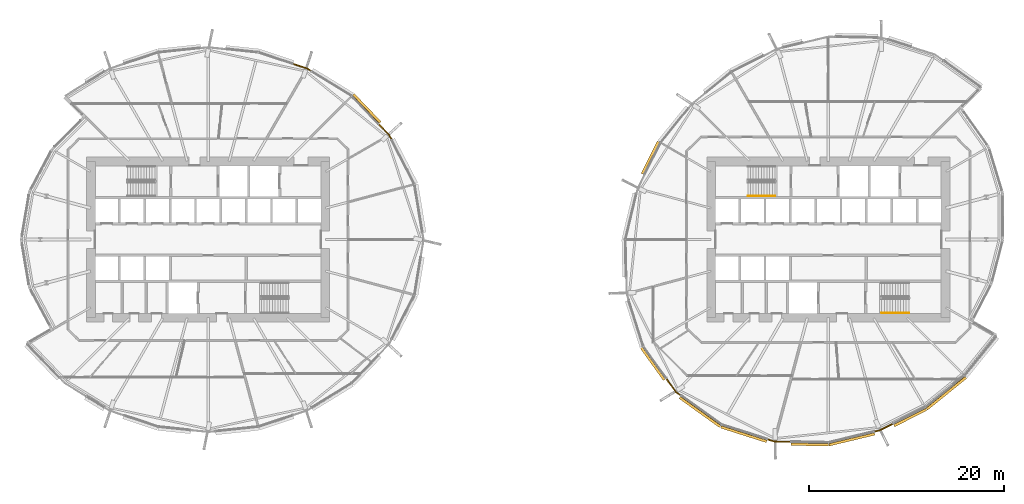
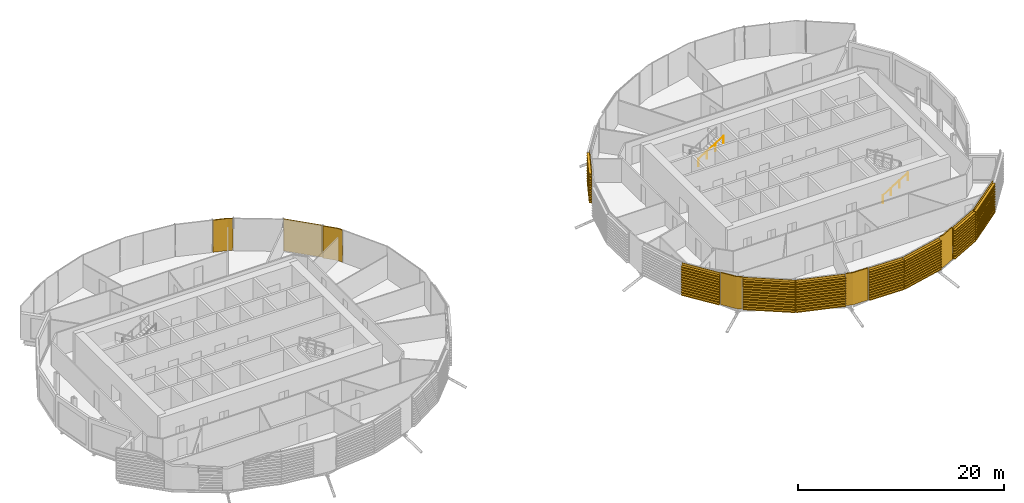
# One storey, part 34 of 36: 14 coverings, 2 railings.
"""IFC4 building model written with IfcOpenShell, lengths in metres."""

from ifc_helpers import new_model, si_unit, direction, frame, origin, origin_2d, place, context, subcontext, project, spatial, polyline, circle, outline, extrude, material, layer, layer_set, material_profile, profile_set, type_object, element, save


model = new_model("IFC4")

# Units and contexts
model_context = context("Model", 3, precision=1e-05, world=origin(), true_north=direction((0.0, 1.0)))
body_context = subcontext(model_context, "Body", "Model", "MODEL_VIEW")
ifc_project = project(units=[si_unit("LENGTHUNIT", "METRE"), si_unit("AREAUNIT", "SQUARE_METRE"), si_unit("VOLUMEUNIT", "CUBIC_METRE"), si_unit("PLANEANGLEUNIT", "RADIAN"), si_unit("MASSUNIT", "GRAM", prefix="KILO")], contexts=[model_context])

# Site, building, storey
site_placement = place(None, origin())
site = spatial("IfcSite", under=ifc_project, at=site_placement, CompositionType="ELEMENT")
building_placement = place(site_placement, origin())
building = spatial("IfcBuilding", under=site, at=building_placement, Name="Rimbun Link Towers", CompositionType="ELEMENT")
storey_placement = place(building_placement, frame((0.0, 0.0, 33.800048828125)))
storey = spatial("IfcBuildingStorey", under=building, at=storey_placement, Name="L07", CompositionType="ELEMENT", Elevation=33.800048828125)

# Coverings
ifc_material_1 = material(Name="Terracotta", Category="masonry")
ifc_layer = layer(ifc_material_1, 0.1201171875)
ifc_layer_set = layer_set([ifc_layer], Name="LINK PIER terracotta cladding 120")
covering_type_1 = type_object("IfcCoveringType", Name="LINK PIER terracotta cladding 120", PredefinedType="CLADDING", material=ifc_layer_set)
covering_1_placement = place(storey_placement, origin())
element("IfcCovering", 1, at=covering_1_placement, inside=storey, type_object=covering_type_1, Name="LINK PIER cladding", PredefinedType="CLADDING", context=body_context, shape_type="SweptSolid", body=[
    extrude(outline(polyline([(-14.317138671875, 11.769287109375), (-13.26513671875, 10.672119140625), (-13.026123046875, 10.21044921875), (-12.919677734375, 10.265625), (-13.16650390625, 10.74267578125), (-14.23046875, 11.8525390625), (-14.317138671875, 11.769287109375)])), origin(), (0.0, 0.0, 1.0), 3.800048828125),
])
covering_2_placement = place(storey_placement, origin())
element("IfcCovering", 2, at=covering_2_placement, inside=storey, type_object=covering_type_1, Name="LINK PIER cladding", PredefinedType="CLADDING", context=body_context, shape_type="SweptSolid", body=[
    extrude(outline(polyline([(-23.059326171875, 17.93212890625), (-21.663818359375, 17.469482421875), (-21.220703125, 17.197509765625), (-21.157958984375, 17.2998046875), (-21.613037109375, 17.5791015625), (-23.021484375, 18.0458984375), (-23.059326171875, 17.93212890625)])), origin(), (0.0, 0.0, 1.0), 3.800048828125),
])
covering_3_placement = place(storey_placement, origin())
element("IfcCovering", 3, at=covering_3_placement, inside=storey, type_object=covering_type_1, Name="LINK PIER cladding", PredefinedType="CLADDING", context=body_context, shape_type="SweptSolid", body=[
    extrude(outline(polyline([(16.6884765625, -15.9267578125), (16.184814453125, -15.565185546875), (15.211181640625, -14.20849609375), (15.113525390625, -14.2783203125), (16.0986328125, -15.6513671875), (16.618408203125, -16.024169921875), (16.6884765625, -15.9267578125)])), origin(), (0.0, 0.0, 1.0), 3.800048828125),
])
covering_4_placement = place(storey_placement, origin())
element("IfcCovering", 4, at=covering_4_placement, inside=storey, type_object=covering_type_1, Name="LINK PIER cladding", PredefinedType="CLADDING", context=body_context, shape_type="SweptSolid", body=[
    extrude(outline(polyline([(27.895263671875, -20.65234375), (26.2255859375, -20.6171875), (25.53955078125, -20.39892578125), (25.503173828125, -20.51318359375), (26.205810546875, -20.73681640625), (27.892822265625, -20.772216796875), (27.895263671875, -20.65234375)])), origin(), (0.0, 0.0, 1.0), 3.800048828125),
])
covering_5_placement = place(storey_placement, origin())
element("IfcCovering", 5, at=covering_5_placement, inside=storey, type_object=covering_type_1, Name="LINK PIER cladding", PredefinedType="CLADDING", context=body_context, shape_type="SweptSolid", body=[
    extrude(outline(polyline([(38.329345703125, -18.802734375), (36.970947265625, -19.48486328125), (36.465087890625, -19.605712890625), (36.4931640625, -19.722412109375), (37.012451171875, -19.598388671875), (38.383056640625, -18.909912109375), (38.329345703125, -18.802734375)])), origin(), (0.0, 0.0, 1.0), 3.800048828125),
])

# Railings
ifc_material_2 = material(Name="Stainless steel grade 316", Category="steel")
railing_type = type_object("IfcRailingType", Name="Stair handrail", PredefinedType="HANDRAIL", material=ifc_material_2)
for number, where, name in (
    (6, (23.5, 4.449951171875, 2.07275390625), "L07 ST3 stair handrail 2"),
    (7, (37.199951171875, -7.5, 0.172607421875), "L07 ST4 stair handrail 1"),
):
    element("IfcRailing", number, at=place(storey_placement, frame(where)), inside=storey, type_object=railing_type, Name=name, PredefinedType="HANDRAIL", context=body_context, shape_type="SweptSolid", body=[
        extrude(circle(Radius=0.02392578125, at=origin_2d()), frame((0.0, 0.0, 0.8759765625), z_axis=(0.851089632645, 0.0, 0.525020415988), x_axis=(0.0, 1.0, 0.0)), (0.0, 0.0, 1.0), 3.2900390625),
        extrude(circle(Radius=0.02099609375, at=origin_2d()), origin(), (0.0, 0.0, 1.0), 0.851806640625),
        extrude(circle(Radius=0.02099609375, at=origin_2d()), frame((0.933349609375, 0.0, 0.57568359375)), (0.0, 0.0, 1.0), 0.851806640625),
        extrude(circle(Radius=0.02099609375, at=origin_2d()), frame((1.86669921875, 0.0, 1.151611328125)), (0.0, 0.0, 1.0), 0.851806640625),
        extrude(circle(Radius=0.02099609375, at=origin_2d()), frame((2.800048828125, 0.0, 1.727294921875)), (0.0, 0.0, 1.0), 0.851806640625),
    ])

# Coverings
ifc_material_3 = material(Name="Terracotta", Category="masonry")
ifc_material_profile = material_profile(ifc_material_3, outline(polyline([(0.123046875, 0.0), (0.1630859375, 0.0), (0.1630859375, 0.10009765625), (0.423095703125, 0.10009765625), (0.423095703125, 0.219970703125), (0.1630859375, 0.219970703125), (0.1630859375, 0.39990234375), (0.423095703125, 0.39990234375), (0.423095703125, 0.52001953125), (0.1630859375, 0.52001953125), (0.1630859375, 0.699951171875), (0.423095703125, 0.699951171875), (0.423095703125, 0.820068359375), (0.1630859375, 0.820068359375), (0.1630859375, 1.0), (0.423095703125, 1.0), (0.423095703125, 1.1201171875), (0.1630859375, 1.1201171875), (0.1630859375, 1.300048828125), (0.423095703125, 1.300048828125), (0.423095703125, 1.419921875), (0.1630859375, 1.419921875), (0.1630859375, 1.60009765625), (0.423095703125, 1.60009765625), (0.423095703125, 1.719970703125), (0.1630859375, 1.719970703125), (0.1630859375, 1.89990234375), (0.423095703125, 1.89990234375), (0.423095703125, 2.02001953125), (0.1630859375, 2.02001953125), (0.1630859375, 2.199951171875), (0.423095703125, 2.199951171875), (0.423095703125, 2.320068359375), (0.1630859375, 2.320068359375), (0.1630859375, 2.5), (0.423095703125, 2.5), (0.423095703125, 2.6201171875), (0.1630859375, 2.6201171875), (0.1630859375, 2.800048828125), (0.423095703125, 2.800048828125), (0.423095703125, 2.919921875), (0.1630859375, 2.919921875), (0.1630859375, 3.10009765625), (0.423095703125, 3.10009765625), (0.423095703125, 3.219970703125), (0.1630859375, 3.219970703125), (0.1630859375, 3.39990234375), (0.423095703125, 3.39990234375), (0.423095703125, 3.52001953125), (0.1630859375, 3.52001953125), (0.1630859375, 3.800048828125), (0.123046875, 3.800048828125), (0.123046875, 0.0)])), Name="BAGUETTE 120X300")
ifc_profile_set = profile_set([ifc_material_profile], Name="Terracotta")
covering_type_2 = type_object("IfcCoveringType", Name="TERRACOTTA BAGUETTE 120X300 H3800", PredefinedType="CLADDING", material=ifc_profile_set)
covering_6_placement = place(storey_placement, frame((-17.089111328125, 14.660888671875, 0.0), z_axis=(0.692026728068, -0.721871877579, 0.0), x_axis=(0.721871877579, 0.692026728068, 0.0)))
element("IfcCovering", 8, at=covering_6_placement, inside=storey, type_object=covering_type_2, Name="TERRACOTTA BAGUETTE", PredefinedType="CLADDING", context=body_context, shape_type="SweptSolid", body=[
    extrude(outline(polyline([(0.123046875, 0.0), (0.1630859375, 0.0), (0.1630859375, 0.10009765625), (0.423095703125, 0.10009765625), (0.423095703125, 0.219970703125), (0.1630859375, 0.219970703125), (0.1630859375, 0.39990234375), (0.423095703125, 0.39990234375), (0.423095703125, 0.52001953125), (0.1630859375, 0.52001953125), (0.1630859375, 0.699951171875), (0.423095703125, 0.699951171875), (0.423095703125, 0.820068359375), (0.1630859375, 0.820068359375), (0.1630859375, 1.0), (0.423095703125, 1.0), (0.423095703125, 1.1201171875), (0.1630859375, 1.1201171875), (0.1630859375, 1.300048828125), (0.423095703125, 1.300048828125), (0.423095703125, 1.419921875), (0.1630859375, 1.419921875), (0.1630859375, 1.60009765625), (0.423095703125, 1.60009765625), (0.423095703125, 1.719970703125), (0.1630859375, 1.719970703125), (0.1630859375, 1.89990234375), (0.423095703125, 1.89990234375), (0.423095703125, 2.02001953125), (0.1630859375, 2.02001953125), (0.1630859375, 2.199951171875), (0.423095703125, 2.199951171875), (0.423095703125, 2.320068359375), (0.1630859375, 2.320068359375), (0.1630859375, 2.5), (0.423095703125, 2.5), (0.423095703125, 2.6201171875), (0.1630859375, 2.6201171875), (0.1630859375, 2.800048828125), (0.423095703125, 2.800048828125), (0.423095703125, 2.919921875), (0.1630859375, 2.919921875), (0.1630859375, 3.10009765625), (0.423095703125, 3.10009765625), (0.423095703125, 3.219970703125), (0.1630859375, 3.219970703125), (0.1630859375, 3.39990234375), (0.423095703125, 3.39990234375), (0.423095703125, 3.52001953125), (0.1630859375, 3.52001953125), (0.1630859375, 3.800048828125), (0.123046875, 3.800048828125), (0.123046875, 0.0)])), origin(), (0.0, 0.0, 1.0), 3.9755859375),
])
covering_7_placement = place(storey_placement, frame((12.960693359375, 6.60595703125, 0.0), z_axis=(0.448805100121, 0.893629667203, 0.0), x_axis=(-0.893629667203, 0.448805100121, 0.0)))
element("IfcCovering", 9, at=covering_7_placement, inside=storey, type_object=covering_type_2, Name="TERRACOTTA BAGUETTE", PredefinedType="CLADDING", context=body_context, shape_type="SweptSolid", body=[
    extrude(outline(polyline([(0.123046875, 0.0), (0.1630859375, 0.0), (0.1630859375, 0.10009765625), (0.423095703125, 0.10009765625), (0.423095703125, 0.219970703125), (0.1630859375, 0.219970703125), (0.1630859375, 0.39990234375), (0.423095703125, 0.39990234375), (0.423095703125, 0.52001953125), (0.1630859375, 0.52001953125), (0.1630859375, 0.699951171875), (0.423095703125, 0.699951171875), (0.423095703125, 0.820068359375), (0.1630859375, 0.820068359375), (0.1630859375, 1.0), (0.423095703125, 1.0), (0.423095703125, 1.1201171875), (0.1630859375, 1.1201171875), (0.1630859375, 1.300048828125), (0.423095703125, 1.300048828125), (0.423095703125, 1.419921875), (0.1630859375, 1.419921875), (0.1630859375, 1.60009765625), (0.423095703125, 1.60009765625), (0.423095703125, 1.719970703125), (0.1630859375, 1.719970703125), (0.1630859375, 1.89990234375), (0.423095703125, 1.89990234375), (0.423095703125, 2.02001953125), (0.1630859375, 2.02001953125), (0.1630859375, 2.199951171875), (0.423095703125, 2.199951171875), (0.423095703125, 2.320068359375), (0.1630859375, 2.320068359375), (0.1630859375, 2.5), (0.423095703125, 2.5), (0.423095703125, 2.6201171875), (0.1630859375, 2.6201171875), (0.1630859375, 2.800048828125), (0.423095703125, 2.800048828125), (0.423095703125, 2.919921875), (0.1630859375, 2.919921875), (0.1630859375, 3.10009765625), (0.423095703125, 3.10009765625), (0.423095703125, 3.219970703125), (0.1630859375, 3.219970703125), (0.1630859375, 3.39990234375), (0.423095703125, 3.39990234375), (0.423095703125, 3.52001953125), (0.1630859375, 3.52001953125), (0.1630859375, 3.800048828125), (0.123046875, 3.800048828125), (0.123046875, 0.0)])), origin(), (0.0, 0.0, 1.0), 3.679931640625),
])
covering_8_placement = place(storey_placement, frame((15.193603515625, -14.18408203125, 0.0), z_axis=(-0.58300972478, 0.812465175138, 0.0), x_axis=(-0.812465175138, -0.58300972478, 0.0)))
element("IfcCovering", 10, at=covering_8_placement, inside=storey, type_object=covering_type_2, Name="TERRACOTTA BAGUETTE", PredefinedType="CLADDING", context=body_context, shape_type="SweptSolid", body=[
    extrude(outline(polyline([(0.123046875, 0.0), (0.1630859375, 0.0), (0.1630859375, 0.10009765625), (0.423095703125, 0.10009765625), (0.423095703125, 0.219970703125), (0.1630859375, 0.219970703125), (0.1630859375, 0.39990234375), (0.423095703125, 0.39990234375), (0.423095703125, 0.52001953125), (0.1630859375, 0.52001953125), (0.1630859375, 0.699951171875), (0.423095703125, 0.699951171875), (0.423095703125, 0.820068359375), (0.1630859375, 0.820068359375), (0.1630859375, 1.0), (0.423095703125, 1.0), (0.423095703125, 1.1201171875), (0.1630859375, 1.1201171875), (0.1630859375, 1.300048828125), (0.423095703125, 1.300048828125), (0.423095703125, 1.419921875), (0.1630859375, 1.419921875), (0.1630859375, 1.60009765625), (0.423095703125, 1.60009765625), (0.423095703125, 1.719970703125), (0.1630859375, 1.719970703125), (0.1630859375, 1.89990234375), (0.423095703125, 1.89990234375), (0.423095703125, 2.02001953125), (0.1630859375, 2.02001953125), (0.1630859375, 2.199951171875), (0.423095703125, 2.199951171875), (0.423095703125, 2.320068359375), (0.1630859375, 2.320068359375), (0.1630859375, 2.5), (0.423095703125, 2.5), (0.423095703125, 2.6201171875), (0.1630859375, 2.6201171875), (0.1630859375, 2.800048828125), (0.423095703125, 2.800048828125), (0.423095703125, 2.919921875), (0.1630859375, 2.919921875), (0.1630859375, 3.10009765625), (0.423095703125, 3.10009765625), (0.423095703125, 3.219970703125), (0.1630859375, 3.219970703125), (0.1630859375, 3.39990234375), (0.423095703125, 3.39990234375), (0.423095703125, 3.52001953125), (0.1630859375, 3.52001953125), (0.1630859375, 3.800048828125), (0.123046875, 3.800048828125), (0.123046875, 0.0)])), origin(), (0.0, 0.0, 1.0), 4.025146484375),
])
covering_9_placement = place(storey_placement, frame((20.836181640625, -18.903076171875, 0.0), z_axis=(-0.812470385714, 0.583002463406, 0.0), x_axis=(-0.583002463406, -0.812470385714, 0.0)))
element("IfcCovering", 11, at=covering_9_placement, inside=storey, type_object=covering_type_2, Name="TERRACOTTA BAGUETTE", PredefinedType="CLADDING", context=body_context, shape_type="SweptSolid", body=[
    extrude(outline(polyline([(0.123046875, 0.0), (0.1630859375, 0.0), (0.1630859375, 0.10009765625), (0.423095703125, 0.10009765625), (0.423095703125, 0.219970703125), (0.1630859375, 0.219970703125), (0.1630859375, 0.39990234375), (0.423095703125, 0.39990234375), (0.423095703125, 0.52001953125), (0.1630859375, 0.52001953125), (0.1630859375, 0.699951171875), (0.423095703125, 0.699951171875), (0.423095703125, 0.820068359375), (0.1630859375, 0.820068359375), (0.1630859375, 1.0), (0.423095703125, 1.0), (0.423095703125, 1.1201171875), (0.1630859375, 1.1201171875), (0.1630859375, 1.300048828125), (0.423095703125, 1.300048828125), (0.423095703125, 1.419921875), (0.1630859375, 1.419921875), (0.1630859375, 1.60009765625), (0.423095703125, 1.60009765625), (0.423095703125, 1.719970703125), (0.1630859375, 1.719970703125), (0.1630859375, 1.89990234375), (0.423095703125, 1.89990234375), (0.423095703125, 2.02001953125), (0.1630859375, 2.02001953125), (0.1630859375, 2.199951171875), (0.423095703125, 2.199951171875), (0.423095703125, 2.320068359375), (0.1630859375, 2.320068359375), (0.1630859375, 2.5), (0.423095703125, 2.5), (0.423095703125, 2.6201171875), (0.1630859375, 2.6201171875), (0.1630859375, 2.800048828125), (0.423095703125, 2.800048828125), (0.423095703125, 2.919921875), (0.1630859375, 2.919921875), (0.1630859375, 3.10009765625), (0.423095703125, 3.10009765625), (0.423095703125, 3.219970703125), (0.1630859375, 3.219970703125), (0.1630859375, 3.39990234375), (0.423095703125, 3.39990234375), (0.423095703125, 3.52001953125), (0.1630859375, 3.52001953125), (0.1630859375, 3.800048828125), (0.123046875, 3.800048828125), (0.123046875, 0.0)])), origin(), (0.0, 0.0, 1.0), 5.074951171875),
])
covering_10_placement = place(storey_placement, frame((25.510986328125, -20.389892578125, 0.0), z_axis=(-0.952962375607, 0.303088618521, 0.0), x_axis=(-0.303088618521, -0.952962375607, 0.0)))
element("IfcCovering", 12, at=covering_10_placement, inside=storey, type_object=covering_type_2, Name="TERRACOTTA BAGUETTE", PredefinedType="CLADDING", context=body_context, shape_type="SweptSolid", body=[
    extrude(outline(polyline([(0.123046875, 0.0), (0.1630859375, 0.0), (0.1630859375, 0.10009765625), (0.423095703125, 0.10009765625), (0.423095703125, 0.219970703125), (0.1630859375, 0.219970703125), (0.1630859375, 0.39990234375), (0.423095703125, 0.39990234375), (0.423095703125, 0.52001953125), (0.1630859375, 0.52001953125), (0.1630859375, 0.699951171875), (0.423095703125, 0.699951171875), (0.423095703125, 0.820068359375), (0.1630859375, 0.820068359375), (0.1630859375, 1.0), (0.423095703125, 1.0), (0.423095703125, 1.1201171875), (0.1630859375, 1.1201171875), (0.1630859375, 1.300048828125), (0.423095703125, 1.300048828125), (0.423095703125, 1.419921875), (0.1630859375, 1.419921875), (0.1630859375, 1.60009765625), (0.423095703125, 1.60009765625), (0.423095703125, 1.719970703125), (0.1630859375, 1.719970703125), (0.1630859375, 1.89990234375), (0.423095703125, 1.89990234375), (0.423095703125, 2.02001953125), (0.1630859375, 2.02001953125), (0.1630859375, 2.199951171875), (0.423095703125, 2.199951171875), (0.423095703125, 2.320068359375), (0.1630859375, 2.320068359375), (0.1630859375, 2.5), (0.423095703125, 2.5), (0.423095703125, 2.6201171875), (0.1630859375, 2.6201171875), (0.1630859375, 2.800048828125), (0.423095703125, 2.800048828125), (0.423095703125, 2.919921875), (0.1630859375, 2.919921875), (0.1630859375, 3.10009765625), (0.423095703125, 3.10009765625), (0.423095703125, 3.219970703125), (0.1630859375, 3.219970703125), (0.1630859375, 3.39990234375), (0.423095703125, 3.39990234375), (0.423095703125, 3.52001953125), (0.1630859375, 3.52001953125), (0.1630859375, 3.800048828125), (0.123046875, 3.800048828125), (0.123046875, 0.0)])), origin(), (0.0, 0.0, 1.0), 4.905517578125),
])
covering_11_placement = place(storey_placement, frame((31.75, -20.7333984375, 0.0), z_axis=(-0.999778212462, 0.021060054265, 0.0), x_axis=(-0.021060054265, -0.999778212462, 0.0)))
element("IfcCovering", 13, at=covering_11_placement, inside=storey, type_object=covering_type_2, Name="TERRACOTTA BAGUETTE", PredefinedType="CLADDING", context=body_context, shape_type="SweptSolid", body=[
    extrude(outline(polyline([(0.123046875, 0.0), (0.1630859375, 0.0), (0.1630859375, 0.10009765625), (0.423095703125, 0.10009765625), (0.423095703125, 0.219970703125), (0.1630859375, 0.219970703125), (0.1630859375, 0.39990234375), (0.423095703125, 0.39990234375), (0.423095703125, 0.52001953125), (0.1630859375, 0.52001953125), (0.1630859375, 0.699951171875), (0.423095703125, 0.699951171875), (0.423095703125, 0.820068359375), (0.1630859375, 0.820068359375), (0.1630859375, 1.0), (0.423095703125, 1.0), (0.423095703125, 1.1201171875), (0.1630859375, 1.1201171875), (0.1630859375, 1.300048828125), (0.423095703125, 1.300048828125), (0.423095703125, 1.419921875), (0.1630859375, 1.419921875), (0.1630859375, 1.60009765625), (0.423095703125, 1.60009765625), (0.423095703125, 1.719970703125), (0.1630859375, 1.719970703125), (0.1630859375, 1.89990234375), (0.423095703125, 1.89990234375), (0.423095703125, 2.02001953125), (0.1630859375, 2.02001953125), (0.1630859375, 2.199951171875), (0.423095703125, 2.199951171875), (0.423095703125, 2.320068359375), (0.1630859375, 2.320068359375), (0.1630859375, 2.5), (0.423095703125, 2.5), (0.423095703125, 2.6201171875), (0.1630859375, 2.6201171875), (0.1630859375, 2.800048828125), (0.423095703125, 2.800048828125), (0.423095703125, 2.919921875), (0.1630859375, 2.919921875), (0.1630859375, 3.10009765625), (0.423095703125, 3.10009765625), (0.423095703125, 3.219970703125), (0.1630859375, 3.219970703125), (0.1630859375, 3.39990234375), (0.423095703125, 3.39990234375), (0.423095703125, 3.52001953125), (0.1630859375, 3.52001953125), (0.1630859375, 3.800048828125), (0.123046875, 3.800048828125), (0.123046875, 0.0)])), origin(), (0.0, 0.0, 1.0), 3.825439453125),
])
covering_12_placement = place(storey_placement, frame((36.43603515625, -19.61279296875, 0.0), z_axis=(-0.97257739665, -0.232579464969, 0.0), x_axis=(0.232579464969, -0.97257739665, 0.0)))
element("IfcCovering", 14, at=covering_12_placement, inside=storey, type_object=covering_type_2, Name="TERRACOTTA BAGUETTE", PredefinedType="CLADDING", context=body_context, shape_type="SweptSolid", body=[
    extrude(outline(polyline([(0.123046875, 0.0), (0.1630859375, 0.0), (0.1630859375, 0.10009765625), (0.423095703125, 0.10009765625), (0.423095703125, 0.219970703125), (0.1630859375, 0.219970703125), (0.1630859375, 0.39990234375), (0.423095703125, 0.39990234375), (0.423095703125, 0.52001953125), (0.1630859375, 0.52001953125), (0.1630859375, 0.699951171875), (0.423095703125, 0.699951171875), (0.423095703125, 0.820068359375), (0.1630859375, 0.820068359375), (0.1630859375, 1.0), (0.423095703125, 1.0), (0.423095703125, 1.1201171875), (0.1630859375, 1.1201171875), (0.1630859375, 1.300048828125), (0.423095703125, 1.300048828125), (0.423095703125, 1.419921875), (0.1630859375, 1.419921875), (0.1630859375, 1.60009765625), (0.423095703125, 1.60009765625), (0.423095703125, 1.719970703125), (0.1630859375, 1.719970703125), (0.1630859375, 1.89990234375), (0.423095703125, 1.89990234375), (0.423095703125, 2.02001953125), (0.1630859375, 2.02001953125), (0.1630859375, 2.199951171875), (0.423095703125, 2.199951171875), (0.423095703125, 2.320068359375), (0.1630859375, 2.320068359375), (0.1630859375, 2.5), (0.423095703125, 2.5), (0.423095703125, 2.6201171875), (0.1630859375, 2.6201171875), (0.1630859375, 2.800048828125), (0.423095703125, 2.800048828125), (0.423095703125, 2.919921875), (0.1630859375, 2.919921875), (0.1630859375, 3.10009765625), (0.423095703125, 3.10009765625), (0.423095703125, 3.219970703125), (0.1630859375, 3.219970703125), (0.1630859375, 3.39990234375), (0.423095703125, 3.39990234375), (0.423095703125, 3.52001953125), (0.1630859375, 3.52001953125), (0.1630859375, 3.800048828125), (0.123046875, 3.800048828125), (0.123046875, 0.0)])), origin(), (0.0, 0.0, 1.0), 4.818115234375),
])
covering_13_placement = place(storey_placement, frame((41.64453125, -17.1376953125, 0.0), z_axis=(-0.893629667203, -0.448805100121, 0.0), x_axis=(0.448805100121, -0.893629667203, 0.0)))
element("IfcCovering", 15, at=covering_13_placement, inside=storey, type_object=covering_type_2, Name="TERRACOTTA BAGUETTE", PredefinedType="CLADDING", context=body_context, shape_type="SweptSolid", body=[
    extrude(outline(polyline([(0.123046875, 0.0), (0.1630859375, 0.0), (0.1630859375, 0.10009765625), (0.423095703125, 0.10009765625), (0.423095703125, 0.219970703125), (0.1630859375, 0.219970703125), (0.1630859375, 0.39990234375), (0.423095703125, 0.39990234375), (0.423095703125, 0.52001953125), (0.1630859375, 0.52001953125), (0.1630859375, 0.699951171875), (0.423095703125, 0.699951171875), (0.423095703125, 0.820068359375), (0.1630859375, 0.820068359375), (0.1630859375, 1.0), (0.423095703125, 1.0), (0.423095703125, 1.1201171875), (0.1630859375, 1.1201171875), (0.1630859375, 1.300048828125), (0.423095703125, 1.300048828125), (0.423095703125, 1.419921875), (0.1630859375, 1.419921875), (0.1630859375, 1.60009765625), (0.423095703125, 1.60009765625), (0.423095703125, 1.719970703125), (0.1630859375, 1.719970703125), (0.1630859375, 1.89990234375), (0.423095703125, 1.89990234375), (0.423095703125, 2.02001953125), (0.1630859375, 2.02001953125), (0.1630859375, 2.199951171875), (0.423095703125, 2.199951171875), (0.423095703125, 2.320068359375), (0.1630859375, 2.320068359375), (0.1630859375, 2.5), (0.423095703125, 2.5), (0.423095703125, 2.6201171875), (0.1630859375, 2.6201171875), (0.1630859375, 2.800048828125), (0.423095703125, 2.800048828125), (0.423095703125, 2.919921875), (0.1630859375, 2.919921875), (0.1630859375, 3.10009765625), (0.423095703125, 3.10009765625), (0.423095703125, 3.219970703125), (0.1630859375, 3.219970703125), (0.1630859375, 3.39990234375), (0.423095703125, 3.39990234375), (0.423095703125, 3.52001953125), (0.1630859375, 3.52001953125), (0.1630859375, 3.800048828125), (0.123046875, 3.800048828125), (0.123046875, 0.0)])), origin(), (0.0, 0.0, 1.0), 3.679931640625),
])
covering_14_placement = place(storey_placement, frame((45.647705078125, -13.897705078125, 0.0), z_axis=(-0.777308896653, -0.629119129565, 0.0), x_axis=(0.629119129565, -0.777308896653, 0.0)))
element("IfcCovering", 16, at=covering_14_placement, inside=storey, type_object=covering_type_2, Name="TERRACOTTA BAGUETTE", PredefinedType="CLADDING", context=body_context, shape_type="SweptSolid", body=[
    extrude(outline(polyline([(0.123046875, 0.0), (0.1630859375, 0.0), (0.1630859375, 0.10009765625), (0.423095703125, 0.10009765625), (0.423095703125, 0.219970703125), (0.1630859375, 0.219970703125), (0.1630859375, 0.39990234375), (0.423095703125, 0.39990234375), (0.423095703125, 0.52001953125), (0.1630859375, 0.52001953125), (0.1630859375, 0.699951171875), (0.423095703125, 0.699951171875), (0.423095703125, 0.820068359375), (0.1630859375, 0.820068359375), (0.1630859375, 1.0), (0.423095703125, 1.0), (0.423095703125, 1.1201171875), (0.1630859375, 1.1201171875), (0.1630859375, 1.300048828125), (0.423095703125, 1.300048828125), (0.423095703125, 1.419921875), (0.1630859375, 1.419921875), (0.1630859375, 1.60009765625), (0.423095703125, 1.60009765625), (0.423095703125, 1.719970703125), (0.1630859375, 1.719970703125), (0.1630859375, 1.89990234375), (0.423095703125, 1.89990234375), (0.423095703125, 2.02001953125), (0.1630859375, 2.02001953125), (0.1630859375, 2.199951171875), (0.423095703125, 2.199951171875), (0.423095703125, 2.320068359375), (0.1630859375, 2.320068359375), (0.1630859375, 2.5), (0.423095703125, 2.5), (0.423095703125, 2.6201171875), (0.1630859375, 2.6201171875), (0.1630859375, 2.800048828125), (0.423095703125, 2.800048828125), (0.423095703125, 2.919921875), (0.1630859375, 2.919921875), (0.1630859375, 3.10009765625), (0.423095703125, 3.10009765625), (0.423095703125, 3.219970703125), (0.1630859375, 3.219970703125), (0.1630859375, 3.39990234375), (0.423095703125, 3.39990234375), (0.423095703125, 3.52001953125), (0.1630859375, 3.52001953125), (0.1630859375, 3.800048828125), (0.123046875, 3.800048828125), (0.123046875, 0.0)])), origin(), (0.0, 0.0, 1.0), 5.150146484375),
])

save(model, "model.ifc")
